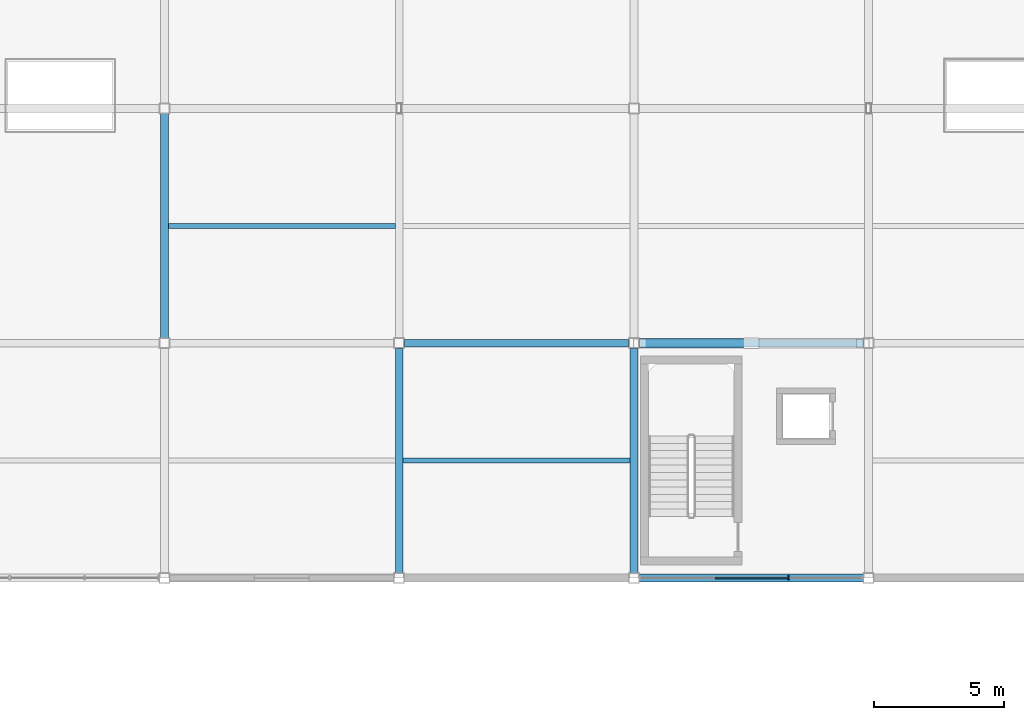
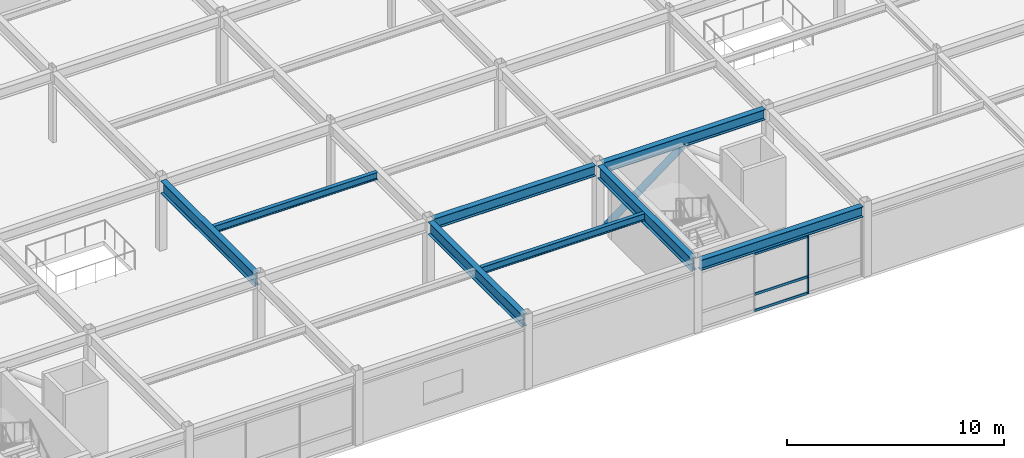
# One storey, part 26 of 70: 8 beams, 5 members, 1 element without a shape of its own.
"""IFC4 building model written with IfcOpenShell, lengths in metres."""

from ifc_helpers import new_model, si_unit, direction, frame, origin, origin_2d, place, context, subcontext, project, spatial, rectangle, hollow_circle, i_section, extrude, material, material_profile, profile_set, type_object, element, aggregate, save


model = new_model("IFC4")

# Units and contexts
model_context = context("Model", 3, precision=1e-05, world=origin(), true_north=direction((0.0, 1.0)))
body_context = subcontext(model_context, "Body", "Model", "MODEL_VIEW")
ifc_project = project(units=[si_unit("LENGTHUNIT", "METRE"), si_unit("AREAUNIT", "SQUARE_METRE"), si_unit("VOLUMEUNIT", "CUBIC_METRE"), si_unit("PLANEANGLEUNIT", "RADIAN"), si_unit("MASSUNIT", "GRAM", prefix="KILO")], contexts=[model_context])

# Site, building, storey
site_placement = place(None, origin())
site = spatial("IfcSite", under=ifc_project, at=site_placement, CompositionType="ELEMENT")
building_placement = place(site_placement, origin())
building = spatial("IfcBuilding", under=site, at=building_placement, Name="Suzunagisa Mobility Hub", CompositionType="ELEMENT")
storey_placement = place(building_placement, frame((0.0, 0.0, 13.5)))
storey = spatial("IfcBuildingStorey", under=building, at=storey_placement, Name="L03", CompositionType="ELEMENT", Elevation=13.5)

# Curtain wall, members
ifc_material_1 = material(Name="Thermally Broken Anodized Aluminum and Low-E Glazing", Category="aluminium")
curtain_wall_type = type_object("IfcCurtainWallType", Name="Unitised Curtain Wall CW-18 8500x3200", PredefinedType="USERDEFINED", material=ifc_material_1)
curtain_wall_placement = place(storey_placement, origin())
curtain_wall = element("IfcCurtainWall", 1, at=curtain_wall_placement, inside=storey, type_object=curtain_wall_type, Name="L03 Unitised Curtain Wall CW-122", ObjectType="UNITISED CURTAIN WALL", PredefinedType="USERDEFINED")
ifc_material_2 = material(Name="Anodized Aluminum 6063-T6", Category="aluminium")
ifc_material_profile_1 = material_profile(ifc_material_2, rectangle(XDim=0.06494140625, YDim=0.139892578125, at=origin_2d()), Name="TRAN-65x140")
ifc_profile_set_1 = profile_set([ifc_material_profile_1], Name="Anodized Aluminum 6063-T6")
member_type_1 = type_object("IfcMemberType", Name="Curtain Wall Framing CM-01 TRAN-65x140", PredefinedType="USERDEFINED", material=ifc_profile_set_1)
member_1_placement = place(storey_placement, frame((93.0947265625, 80.0, 0.032470703125), z_axis=(1.0, 0.0, 0.0), x_axis=(0.0, 1.0, 0.0)))
member_1 = element("IfcMember", 2, at=member_1_placement, type_object=member_type_1, Name="Curtain Wall Transom 122-T2.1", ObjectType="TRANSOM", PredefinedType="USERDEFINED", context=body_context, shape_type="SweptSolid", body=[
    extrude(rectangle(XDim=0.06494140625, YDim=0.139892578125, at=origin_2d()), origin(), (0.0, 0.0, 1.0), 2.810546875),
])
member_2_placement = place(storey_placement, frame((93.0947265625, 80.0, 0.949951171875), z_axis=(1.0, 0.0, 0.0), x_axis=(0.0, 1.0, 0.0)))
member_2 = element("IfcMember", 3, at=member_2_placement, type_object=member_type_1, Name="Curtain Wall Transom 122-T2.2", ObjectType="TRANSOM", PredefinedType="USERDEFINED", context=body_context, shape_type="SweptSolid", body=[
    extrude(rectangle(XDim=0.06494140625, YDim=0.139892578125, at=origin_2d()), origin(), (0.0, 0.0, 1.0), 2.810546875),
])
member_3_placement = place(storey_placement, frame((93.0947265625, 80.0, 3.217529296875), z_axis=(1.0, 0.0, 0.0), x_axis=(0.0, 1.0, 0.0)))
member_3 = element("IfcMember", 4, at=member_3_placement, type_object=member_type_1, Name="Curtain Wall Transom 122-T2.3", ObjectType="TRANSOM", PredefinedType="USERDEFINED", context=body_context, shape_type="SweptSolid", body=[
    extrude(rectangle(XDim=0.06494140625, YDim=0.139892578125, at=origin_2d()), origin(), (0.0, 0.0, 1.0), 2.810546875),
])
ifc_material_profile_2 = material_profile(ifc_material_2, rectangle(XDim=0.06005859375, YDim=0.14990234375, at=origin_2d()), Name="MULL-60x150")
ifc_profile_set_2 = profile_set([ifc_material_profile_2], Name="Anodized Aluminum 6063-T6")
member_type_2 = type_object("IfcMemberType", Name="Curtain Wall Framing CM-03 MULL-60x150", PredefinedType="MULLION", material=ifc_profile_set_2)
member_4_placement = place(storey_placement, frame((95.933349609375, 80.0, 0.0), z_axis=(0.0, 0.0, 1.0), x_axis=(1.0, 0.0, 0.0)))
member_4 = element("IfcMember", 5, at=member_4_placement, type_object=member_type_2, Name="Curtain Wall Mullion 122-M3", PredefinedType="MULLION", context=body_context, shape_type="SweptSolid", body=[
    extrude(rectangle(XDim=0.06005859375, YDim=0.14990234375, at=origin_2d()), origin(), (0.0, 0.0, 1.0), 3.25),
])
aggregate(curtain_wall, [member_4, member_1, member_2, member_3])

# Member
ifc_material_3 = material(Name="Steel SN490B", Category="steel")
ifc_material_profile_3 = material_profile(ifc_material_3, hollow_circle(Radius=0.177734375, WallThickness=0.0126953125, at=origin_2d()), Name="CHS-355.6x12.7")
ifc_profile_set_3 = profile_set([ifc_material_profile_3], Name="Steel SN490B")
member_type_3 = type_object("IfcMemberType", Name="Roof Truss and Brace Member MB-03 CHS-355.6x12.7", PredefinedType="BRACE", material=ifc_profile_set_3)
member_5_placement = place(storey_placement, frame((90.219970703125, 89.0, 0.1201171875), z_axis=(0.798406843129, 0.0, 0.602118354516), x_axis=(0.0, 1.0, 0.0)))
element("IfcMember", 6, at=member_5_placement, inside=storey, type_object=member_type_3, Name="L03 Concentric Lateral Brace BR-45", PredefinedType="BRACE", context=body_context, shape_type="SweptSolid", body=[
    extrude(hollow_circle(Radius=0.177734375, WallThickness=0.0126953125, at=origin_2d()), origin(), (0.0, 0.0, 1.0), 5.360595703125),
])

# Beams
ifc_material_profile_4 = material_profile(ifc_material_3, i_section(OverallWidth=0.300048828125, OverallDepth=0.699951171875, WebThickness=0.012939453125, FlangeThickness=0.02392578125, FilletRadius=0.01806640625, at=origin_2d()), Name="H-700x300x13x24")
ifc_profile_set_4 = profile_set([ifc_material_profile_4], Name="Steel SN490B")
beam_type_1 = type_object("IfcBeamType", Name="Steel Beam BM-11 H-700x300x13x24", PredefinedType="BEAM", material=ifc_profile_set_4)
for number, where, z_axis, x_axis, name in (
    (7, (72.0, 89.196044921875, 3.60009765625), (0.0, 1.0, 0.0), (-1.0, 0.0, 0.0), "L03 Primary Girder GY-1076"),
    (8, (81.0, 80.196044921875, 3.60009765625), (0.0, 1.0, 0.0), (-1.0, 0.0, 0.0), "L03 Primary Girder GY-1079"),
    (9, (90.0, 80.196044921875, 3.60009765625), (0.0, 1.0, 0.0), (-1.0, 0.0, 0.0), "L03 Primary Girder GY-1083"),
):
    element("IfcBeam", number, at=place(storey_placement, frame(where, z_axis=z_axis, x_axis=x_axis)), inside=storey, type_object=beam_type_1, Name=name, PredefinedType="BEAM", context=body_context, shape_type="SweptSolid", body=[
        extrude(i_section(OverallWidth=0.300048828125, OverallDepth=0.699951171875, WebThickness=0.012939453125, FlangeThickness=0.02392578125, FilletRadius=0.01806640625, at=origin_2d()), origin(), (0.0, 0.0, 1.0), 8.60791015625),
    ])
ifc_material_4 = material(Name="Steel SN400B", Category="steel")
ifc_material_profile_5 = material_profile(ifc_material_4, i_section(OverallWidth=0.199951171875, OverallDepth=0.39990234375, WebThickness=0.008056640625, FlangeThickness=0.012939453125, FilletRadius=0.012939453125, at=origin_2d()), Name="H-400x200x8x13")
ifc_profile_set_5 = profile_set([ifc_material_profile_5], Name="Steel SN400B")
beam_type_2 = type_object("IfcBeamType", Name="Steel Beam BM-14 H-400x200x8x13", PredefinedType="JOIST", material=ifc_profile_set_5)
for number, where, z_axis, x_axis, name in (
    (10, (72.14990234375, 93.5, 3.75), (1.0, 0.0, 0.0), (0.0, 1.0, 0.0), "L03 Composite Floor Joist J-1105"),
    (11, (81.14990234375, 84.5, 3.75), (1.0, 0.0, 0.0), (0.0, 1.0, 0.0), "L03 Composite Floor Joist J-1108"),
):
    element("IfcBeam", number, at=place(storey_placement, frame(where, z_axis=z_axis, x_axis=x_axis)), inside=storey, type_object=beam_type_2, Name=name, PredefinedType="JOIST", context=body_context, shape_type="SweptSolid", body=[
        extrude(i_section(OverallWidth=0.199951171875, OverallDepth=0.39990234375, WebThickness=0.008056640625, FlangeThickness=0.012939453125, FilletRadius=0.012939453125, at=origin_2d()), origin(), (0.0, 0.0, 1.0), 8.7001953125),
    ])
ifc_material_profile_6 = material_profile(ifc_material_3, i_section(OverallWidth=0.300048828125, OverallDepth=0.587890625, WebThickness=0.011962890625, FlangeThickness=0.02001953125, FilletRadius=0.012939453125, at=origin_2d()), Name="H-588x300x12x20")
ifc_profile_set_6 = profile_set([ifc_material_profile_6], Name="Steel SN490B")
beam_type_3 = type_object("IfcBeamType", Name="Steel Beam BM-16 H-588x300x12x20", PredefinedType="BEAM", material=ifc_profile_set_6)
for number, where, z_axis, x_axis, name in (
    (12, (90.196044921875, 80.0, 3.656005859375), (1.0, 0.0, 0.0), (0.0, 1.0, 0.0), "L03 Primary Girder GX-1033"),
    (13, (81.196044921875, 89.0, 3.656005859375), (1.0, 0.0, 0.0), (0.0, 1.0, 0.0), "L03 Primary Girder GX-1039"),
    (14, (90.196044921875, 89.0, 3.656005859375), (1.0, 0.0, 0.0), (0.0, 1.0, 0.0), "L03 Primary Girder GX-1040"),
):
    element("IfcBeam", number, at=place(storey_placement, frame(where, z_axis=z_axis, x_axis=x_axis)), inside=storey, type_object=beam_type_3, Name=name, PredefinedType="BEAM", context=body_context, shape_type="SweptSolid", body=[
        extrude(i_section(OverallWidth=0.300048828125, OverallDepth=0.587890625, WebThickness=0.011962890625, FlangeThickness=0.02001953125, FilletRadius=0.012939453125, at=origin_2d()), origin(), (0.0, 0.0, 1.0), 8.60791015625),
    ])

save(model, "model.ifc")
